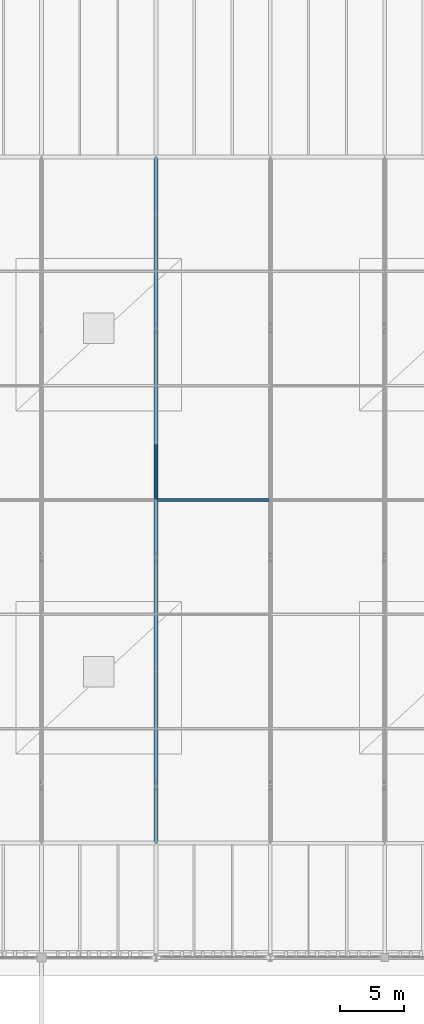
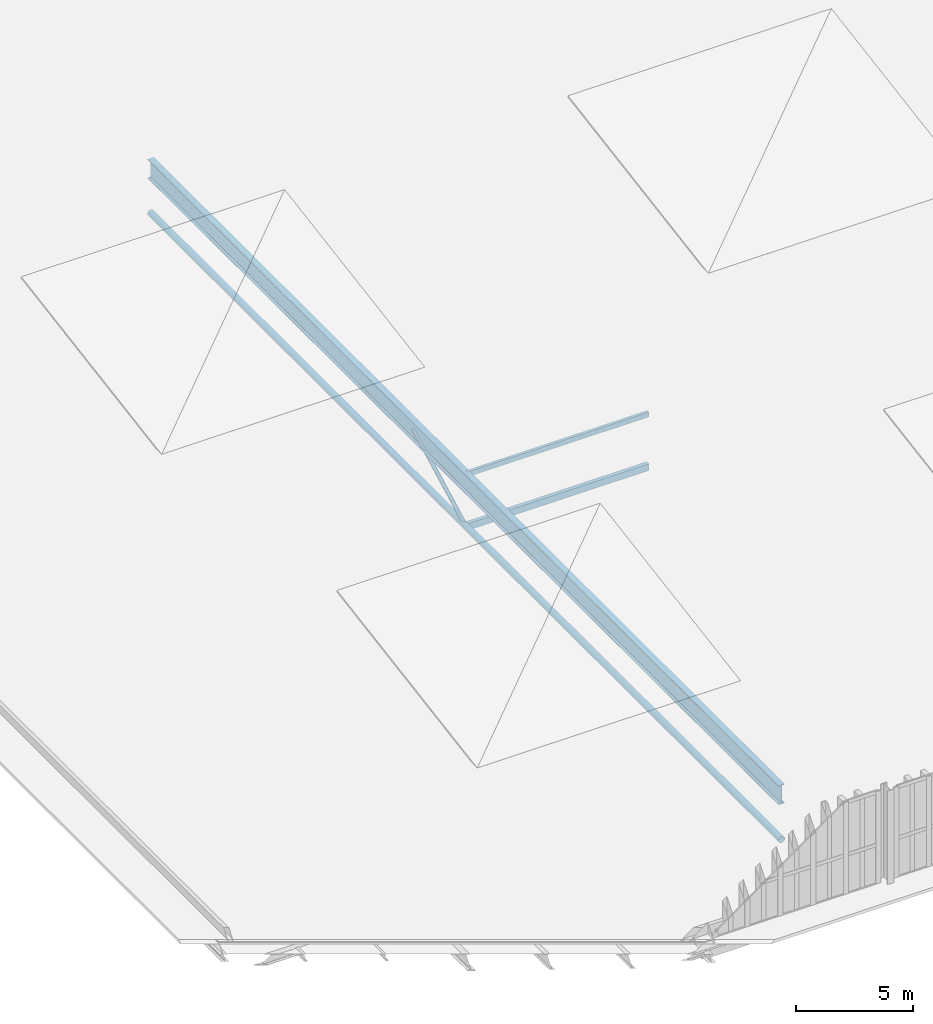
# One storey, part 53 of 196: 4 members, 1 beam.
"""IFC4 building model written with IfcOpenShell, lengths in metres."""

from ifc_helpers import new_model, si_unit, direction, frame, origin, origin_2d, place, context, subcontext, project, spatial, hollow_rectangle, hollow_circle, i_section, extrude, material, material_profile, profile_set, type_object, element, save


model = new_model("IFC4")

# Units and contexts
model_context = context("Model", 3, precision=1e-05, world=origin(), true_north=direction((0.0, 1.0)))
body_context = subcontext(model_context, "Body", "Model", "MODEL_VIEW")
ifc_project = project(units=[si_unit("LENGTHUNIT", "METRE"), si_unit("AREAUNIT", "SQUARE_METRE"), si_unit("VOLUMEUNIT", "CUBIC_METRE"), si_unit("PLANEANGLEUNIT", "RADIAN"), si_unit("MASSUNIT", "GRAM", prefix="KILO")], contexts=[model_context])

# Site, building, storey
site_placement = place(None, origin())
site = spatial("IfcSite", under=ifc_project, at=site_placement, CompositionType="ELEMENT")
building_placement = place(site_placement, origin())
building = spatial("IfcBuilding", under=site, at=building_placement, Name="Barlavento Convention Centre", CompositionType="ELEMENT")
storey_placement = place(building_placement, frame((0.0, 0.0, 18.0)))
storey = spatial("IfcBuildingStorey", under=building, at=storey_placement, Name="L03", CompositionType="ELEMENT", Elevation=18.0)

# Beam
ifc_material_1 = material(Name="Steel S460", Category="steel")
ifc_material_profile_1 = material_profile(ifc_material_1, i_section(OverallWidth=0.300048828125, OverallDepth=1.0, WebThickness=0.01904296875, FlangeThickness=0.035888671875, FilletRadius=0.030029296875, at=origin_2d()), Name="HEB 1000")
ifc_profile_set_1 = profile_set([ifc_material_profile_1], Name="Steel S460")
beam_type = type_object("IfcBeamType", Name="STR-BM-EXH-HEB1000", PredefinedType="BEAM", material=ifc_profile_set_1)
beam_placement = place(storey_placement, frame((27.0, 63.02001953125, -0.844970703125), z_axis=(0.0, 1.0, 0.0), x_axis=(-1.0, 0.0, 0.0)))
element("IfcBeam", 1, at=beam_placement, inside=storey, type_object=beam_type, Name="Exhibition roof space frame top girder", PredefinedType="BEAM", context=body_context, shape_type="SweptSolid", body=[
    extrude(i_section(OverallWidth=0.300048828125, OverallDepth=1.0, WebThickness=0.01904296875, FlangeThickness=0.035888671875, FilletRadius=0.030029296875, at=origin_2d()), origin(), (0.0, 0.0, 1.0), 53.9599609375),
])

# Members
ifc_material_2 = material(Name="Steel S355", Category="steel")
ifc_material_profile_2 = material_profile(ifc_material_2, hollow_circle(Radius=0.161865234375, WallThickness=0.01611328125, at=origin_2d()), Name="CHS 323.9x16.0")
ifc_profile_set_2 = profile_set([ifc_material_profile_2], Name="Steel S355")
member_type_1 = type_object("IfcMemberType", Name="STR-MEM-CHD-CHS323", PredefinedType="CHORD", material=ifc_profile_set_2)
member_1_placement = place(storey_placement, frame((27.0, 63.02001953125, -3.199951171875), z_axis=(0.0, 1.0, 0.0), x_axis=(-1.0, 0.0, 0.0)))
element("IfcMember", 2, at=member_1_placement, inside=storey, type_object=member_type_1, Name="Exhibition space frame bottom chord TC02", PredefinedType="CHORD", context=body_context, shape_type="SweptSolid", body=[
    extrude(hollow_circle(Radius=0.161865234375, WallThickness=0.01611328125, at=origin_2d()), origin(), (0.0, 0.0, 1.0), 53.9599609375),
])
ifc_material_profile_3 = material_profile(ifc_material_2, hollow_rectangle(XDim=0.199951171875, YDim=0.35009765625, WallThickness=0.012451171875, at=origin_2d()), Name="RHS 350x200x12.5")
ifc_profile_set_3 = profile_set([ifc_material_profile_3], Name="Steel S355")
member_type_2 = type_object("IfcMemberType", Name="STR-MEM-COL-RHS350", PredefinedType="COLLAR", material=ifc_profile_set_3)
member_2_placement = place(storey_placement, frame((27.02001953125, 90.0, -3.199951171875), z_axis=(1.0, 0.0, 0.0), x_axis=(0.0, 1.0, 0.0)))
element("IfcMember", 3, at=member_2_placement, inside=storey, type_object=member_type_2, Name="Exhibition space frame transverse chord", PredefinedType="COLLAR", context=body_context, shape_type="SweptSolid", body=[
    extrude(hollow_rectangle(XDim=0.199951171875, YDim=0.35009765625, WallThickness=0.012451171875, at=origin_2d()), origin(), (0.0, 0.0, 1.0), 8.9599609375),
])
ifc_material_profile_4 = material_profile(ifc_material_2, hollow_circle(Radius=0.096923828125, WallThickness=0.010009765625, at=origin_2d()), Name="CHS 193.7x10.0")
ifc_profile_set_4 = profile_set([ifc_material_profile_4], Name="Steel S355")
member_type_3 = type_object("IfcMemberType", Name="STR-MEM-DIAG-CHS193", PredefinedType="RAFTER", material=ifc_profile_set_4)
member_3_placement = place(storey_placement, frame((27.0, 90.050048828125, -3.199951171875), z_axis=(0.0, 0.883859857229, 0.467751806816), x_axis=(-1.0, 0.0, 0.0)))
element("IfcMember", 4, at=member_3_placement, inside=storey, type_object=member_type_3, Name="Exhibition space frame web diagonal", PredefinedType="RAFTER", context=body_context, shape_type="SweptSolid", body=[
    extrude(hollow_circle(Radius=0.096923828125, WallThickness=0.010009765625, at=origin_2d()), origin(), (0.0, 0.0, 1.0), 5.03466796875),
])
ifc_material_profile_5 = material_profile(ifc_material_2, hollow_rectangle(XDim=0.14990234375, YDim=0.25, WallThickness=0.010009765625, at=origin_2d()), Name="RHS 250x150x10.0")
ifc_profile_set_5 = profile_set([ifc_material_profile_5], Name="Steel S355")
member_type_4 = type_object("IfcMemberType", Name="STR-MEM-PUR-RHS250", PredefinedType="PURLIN", material=ifc_profile_set_5)
member_4_placement = place(storey_placement, frame((27.02001953125, 90.0, -0.469970703125), z_axis=(1.0, 0.0, 0.0), x_axis=(0.0, 1.0, 0.0)))
element("IfcMember", 5, at=member_4_placement, inside=storey, type_object=member_type_4, Name="Exhibition roof purlin", PredefinedType="PURLIN", context=body_context, shape_type="SweptSolid", body=[
    extrude(hollow_rectangle(XDim=0.14990234375, YDim=0.25, WallThickness=0.010009765625, at=origin_2d()), origin(), (0.0, 0.0, 1.0), 8.9599609375),
])

save(model, "model.ifc")
